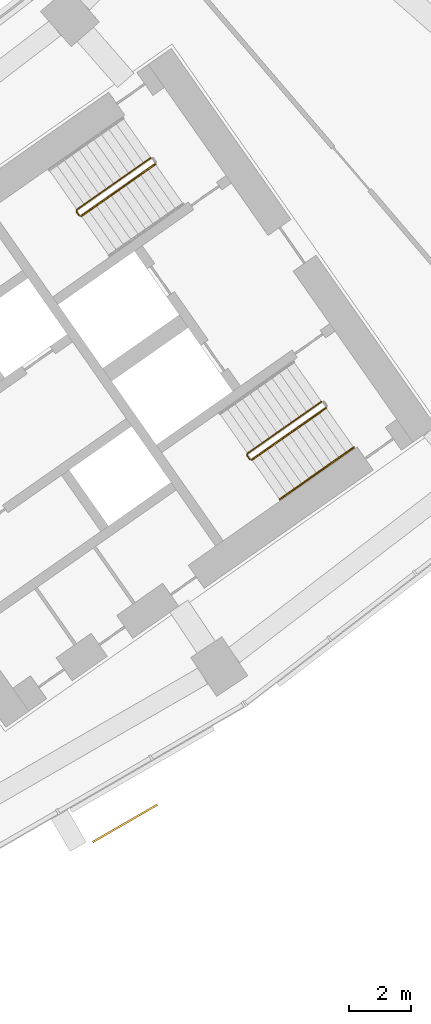
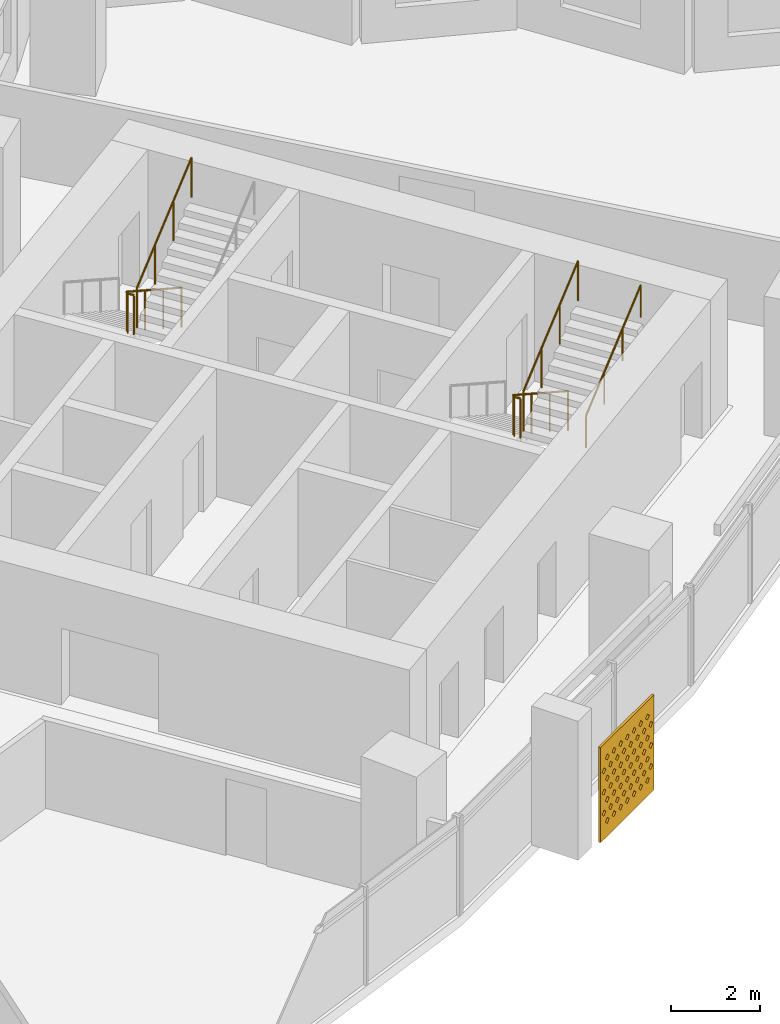
# One storey, part 28 of 29: 5 railings, 1 shading device.
"""IFC4 building model written with IfcOpenShell, lengths in metres."""

from ifc_helpers import new_model, si_unit, direction, frame, origin, origin_2d, place, context, subcontext, project, spatial, polyline, circle, outline, extrude, material, material_profile, profile_set, type_object, element, save


model = new_model("IFC4")

# Units and contexts
model_context = context("Model", 3, precision=1e-05, world=origin(), true_north=direction((0.0, 1.0)))
body_context = subcontext(model_context, "Body", "Model", "MODEL_VIEW")
ifc_project = project(units=[si_unit("LENGTHUNIT", "METRE"), si_unit("AREAUNIT", "SQUARE_METRE"), si_unit("VOLUMEUNIT", "CUBIC_METRE"), si_unit("PLANEANGLEUNIT", "RADIAN"), si_unit("MASSUNIT", "GRAM", prefix="KILO")], contexts=[model_context])

# Site, building, storey
site_placement = place(None, origin())
site = spatial("IfcSite", under=ifc_project, at=site_placement, CompositionType="ELEMENT")
building_placement = place(site_placement, origin())
building = spatial("IfcBuilding", under=site, at=building_placement, Name="Qamariyya Broadcast Tower", CompositionType="ELEMENT")
storey_placement = place(building_placement, frame((0.0, 0.0, 136.699951171875)))
storey = spatial("IfcBuildingStorey", under=building, at=storey_placement, Name="L31", CompositionType="ELEMENT", Elevation=136.699951171875)

# Shading device
ifc_material_1 = material(Name="Perforated glazed terracotta", Category="masonry")
ifc_material_profile = material_profile(ifc_material_1, outline(polyline([(-1.199951171875, -1.300048828125), (1.199951171875, -1.300048828125), (1.199951171875, 1.300048828125), (-1.199951171875, 1.300048828125), (-1.199951171875, -1.300048828125)]), holes=[polyline([(-0.81494140625, -0.86669921875), (-0.89990234375, -0.78173828125), (-0.985107421875, -0.86669921875), (-0.89990234375, -0.95166015625), (-0.81494140625, -0.86669921875)]), polyline([(-0.514892578125, -0.86669921875), (-0.60009765625, -0.78173828125), (-0.68505859375, -0.86669921875), (-0.60009765625, -0.95166015625), (-0.514892578125, -0.86669921875)]), polyline([(-0.215087890625, -0.86669921875), (-0.300048828125, -0.78173828125), (-0.385009765625, -0.86669921875), (-0.300048828125, -0.95166015625), (-0.215087890625, -0.86669921875)]), polyline([(0.0849609375, -0.86669921875), (0.0, -0.78173828125), (-0.0849609375, -0.86669921875), (0.0, -0.95166015625), (0.0849609375, -0.86669921875)]), polyline([(0.385009765625, -0.86669921875), (0.300048828125, -0.78173828125), (0.215087890625, -0.86669921875), (0.300048828125, -0.95166015625), (0.385009765625, -0.86669921875)]), polyline([(0.68505859375, -0.86669921875), (0.60009765625, -0.78173828125), (0.514892578125, -0.86669921875), (0.60009765625, -0.95166015625), (0.68505859375, -0.86669921875)]), polyline([(0.985107421875, -0.86669921875), (0.89990234375, -0.78173828125), (0.81494140625, -0.86669921875), (0.89990234375, -0.95166015625), (0.985107421875, -0.86669921875)]), polyline([(-0.965087890625, -0.577880859375), (-1.050048828125, -0.49267578125), (-1.135009765625, -0.577880859375), (-1.050048828125, -0.662841796875), (-0.965087890625, -0.577880859375)]), polyline([(-0.6650390625, -0.577880859375), (-0.75, -0.49267578125), (-0.8349609375, -0.577880859375), (-0.75, -0.662841796875), (-0.6650390625, -0.577880859375)]), polyline([(-0.364990234375, -0.577880859375), (-0.449951171875, -0.49267578125), (-0.534912109375, -0.577880859375), (-0.449951171875, -0.662841796875), (-0.364990234375, -0.577880859375)]), polyline([(-0.06494140625, -0.577880859375), (-0.14990234375, -0.49267578125), (-0.235107421875, -0.577880859375), (-0.14990234375, -0.662841796875), (-0.06494140625, -0.577880859375)]), polyline([(0.235107421875, -0.577880859375), (0.14990234375, -0.49267578125), (0.06494140625, -0.577880859375), (0.14990234375, -0.662841796875), (0.235107421875, -0.577880859375)]), polyline([(0.534912109375, -0.577880859375), (0.449951171875, -0.49267578125), (0.364990234375, -0.577880859375), (0.449951171875, -0.662841796875), (0.534912109375, -0.577880859375)]), polyline([(0.8349609375, -0.577880859375), (0.75, -0.49267578125), (0.6650390625, -0.577880859375), (0.75, -0.662841796875), (0.8349609375, -0.577880859375)]), polyline([(1.135009765625, -0.577880859375), (1.050048828125, -0.49267578125), (0.965087890625, -0.577880859375), (1.050048828125, -0.662841796875), (1.135009765625, -0.577880859375)]), polyline([(-0.81494140625, -0.288818359375), (-0.89990234375, -0.203857421875), (-0.985107421875, -0.288818359375), (-0.89990234375, -0.373779296875), (-0.81494140625, -0.288818359375)]), polyline([(-0.514892578125, -0.288818359375), (-0.60009765625, -0.203857421875), (-0.68505859375, -0.288818359375), (-0.60009765625, -0.373779296875), (-0.514892578125, -0.288818359375)]), polyline([(-0.215087890625, -0.288818359375), (-0.300048828125, -0.203857421875), (-0.385009765625, -0.288818359375), (-0.300048828125, -0.373779296875), (-0.215087890625, -0.288818359375)]), polyline([(0.0849609375, -0.288818359375), (0.0, -0.203857421875), (-0.0849609375, -0.288818359375), (0.0, -0.373779296875), (0.0849609375, -0.288818359375)]), polyline([(0.385009765625, -0.288818359375), (0.300048828125, -0.203857421875), (0.215087890625, -0.288818359375), (0.300048828125, -0.373779296875), (0.385009765625, -0.288818359375)]), polyline([(0.68505859375, -0.288818359375), (0.60009765625, -0.203857421875), (0.514892578125, -0.288818359375), (0.60009765625, -0.373779296875), (0.68505859375, -0.288818359375)]), polyline([(0.985107421875, -0.288818359375), (0.89990234375, -0.203857421875), (0.81494140625, -0.288818359375), (0.89990234375, -0.373779296875), (0.985107421875, -0.288818359375)]), polyline([(-0.965087890625, 0.0), (-1.050048828125, 0.0849609375), (-1.135009765625, 0.0), (-1.050048828125, -0.0849609375), (-0.965087890625, 0.0)]), polyline([(-0.6650390625, 0.0), (-0.75, 0.0849609375), (-0.8349609375, 0.0), (-0.75, -0.0849609375), (-0.6650390625, 0.0)]), polyline([(-0.364990234375, 0.0), (-0.449951171875, 0.0849609375), (-0.534912109375, 0.0), (-0.449951171875, -0.0849609375), (-0.364990234375, 0.0)]), polyline([(-0.06494140625, 0.0), (-0.14990234375, 0.0849609375), (-0.235107421875, 0.0), (-0.14990234375, -0.0849609375), (-0.06494140625, 0.0)]), polyline([(0.235107421875, 0.0), (0.14990234375, 0.0849609375), (0.06494140625, 0.0), (0.14990234375, -0.0849609375), (0.235107421875, 0.0)]), polyline([(0.534912109375, 0.0), (0.449951171875, 0.0849609375), (0.364990234375, 0.0), (0.449951171875, -0.0849609375), (0.534912109375, 0.0)]), polyline([(0.8349609375, 0.0), (0.75, 0.0849609375), (0.6650390625, 0.0), (0.75, -0.0849609375), (0.8349609375, 0.0)]), polyline([(1.135009765625, 0.0), (1.050048828125, 0.0849609375), (0.965087890625, 0.0), (1.050048828125, -0.0849609375), (1.135009765625, 0.0)]), polyline([(-0.81494140625, 0.288818359375), (-0.89990234375, 0.373779296875), (-0.985107421875, 0.288818359375), (-0.89990234375, 0.203857421875), (-0.81494140625, 0.288818359375)]), polyline([(-0.514892578125, 0.288818359375), (-0.60009765625, 0.373779296875), (-0.68505859375, 0.288818359375), (-0.60009765625, 0.203857421875), (-0.514892578125, 0.288818359375)]), polyline([(-0.215087890625, 0.288818359375), (-0.300048828125, 0.373779296875), (-0.385009765625, 0.288818359375), (-0.300048828125, 0.203857421875), (-0.215087890625, 0.288818359375)]), polyline([(0.0849609375, 0.288818359375), (0.0, 0.373779296875), (-0.0849609375, 0.288818359375), (0.0, 0.203857421875), (0.0849609375, 0.288818359375)]), polyline([(0.385009765625, 0.288818359375), (0.300048828125, 0.373779296875), (0.215087890625, 0.288818359375), (0.300048828125, 0.203857421875), (0.385009765625, 0.288818359375)]), polyline([(0.68505859375, 0.288818359375), (0.60009765625, 0.373779296875), (0.514892578125, 0.288818359375), (0.60009765625, 0.203857421875), (0.68505859375, 0.288818359375)]), polyline([(0.985107421875, 0.288818359375), (0.89990234375, 0.373779296875), (0.81494140625, 0.288818359375), (0.89990234375, 0.203857421875), (0.985107421875, 0.288818359375)]), polyline([(-0.965087890625, 0.577880859375), (-1.050048828125, 0.662841796875), (-1.135009765625, 0.577880859375), (-1.050048828125, 0.49267578125), (-0.965087890625, 0.577880859375)]), polyline([(-0.6650390625, 0.577880859375), (-0.75, 0.662841796875), (-0.8349609375, 0.577880859375), (-0.75, 0.49267578125), (-0.6650390625, 0.577880859375)]), polyline([(-0.364990234375, 0.577880859375), (-0.449951171875, 0.662841796875), (-0.534912109375, 0.577880859375), (-0.449951171875, 0.49267578125), (-0.364990234375, 0.577880859375)]), polyline([(-0.06494140625, 0.577880859375), (-0.14990234375, 0.662841796875), (-0.235107421875, 0.577880859375), (-0.14990234375, 0.49267578125), (-0.06494140625, 0.577880859375)]), polyline([(0.235107421875, 0.577880859375), (0.14990234375, 0.662841796875), (0.06494140625, 0.577880859375), (0.14990234375, 0.49267578125), (0.235107421875, 0.577880859375)]), polyline([(0.534912109375, 0.577880859375), (0.449951171875, 0.662841796875), (0.364990234375, 0.577880859375), (0.449951171875, 0.49267578125), (0.534912109375, 0.577880859375)]), polyline([(0.8349609375, 0.577880859375), (0.75, 0.662841796875), (0.6650390625, 0.577880859375), (0.75, 0.49267578125), (0.8349609375, 0.577880859375)]), polyline([(1.135009765625, 0.577880859375), (1.050048828125, 0.662841796875), (0.965087890625, 0.577880859375), (1.050048828125, 0.49267578125), (1.135009765625, 0.577880859375)]), polyline([(-0.81494140625, 0.86669921875), (-0.89990234375, 0.95166015625), (-0.985107421875, 0.86669921875), (-0.89990234375, 0.78173828125), (-0.81494140625, 0.86669921875)]), polyline([(-0.514892578125, 0.86669921875), (-0.60009765625, 0.95166015625), (-0.68505859375, 0.86669921875), (-0.60009765625, 0.78173828125), (-0.514892578125, 0.86669921875)]), polyline([(-0.215087890625, 0.86669921875), (-0.300048828125, 0.95166015625), (-0.385009765625, 0.86669921875), (-0.300048828125, 0.78173828125), (-0.215087890625, 0.86669921875)]), polyline([(0.0849609375, 0.86669921875), (0.0, 0.95166015625), (-0.0849609375, 0.86669921875), (0.0, 0.78173828125), (0.0849609375, 0.86669921875)]), polyline([(0.385009765625, 0.86669921875), (0.300048828125, 0.95166015625), (0.215087890625, 0.86669921875), (0.300048828125, 0.78173828125), (0.385009765625, 0.86669921875)]), polyline([(0.68505859375, 0.86669921875), (0.60009765625, 0.95166015625), (0.514892578125, 0.86669921875), (0.60009765625, 0.78173828125), (0.68505859375, 0.86669921875)]), polyline([(0.985107421875, 0.86669921875), (0.89990234375, 0.95166015625), (0.81494140625, 0.86669921875), (0.89990234375, 0.78173828125), (0.985107421875, 0.86669921875)])]))
ifc_profile_set = profile_set([ifc_material_profile], Name="Perforated glazed terracotta")
shading_device_type = type_object("IfcShadingDeviceType", Name="Perforated terracotta screen 2400 x 2600", PredefinedType="USERDEFINED", material=ifc_profile_set)
shading_device_placement = place(storey_placement, frame((40.15966796875, -69.65185546875, 1.35009765625), z_axis=(0.500074377092, -0.865982457891, 0.0), x_axis=(0.865982457891, 0.500074377092, 0.0)))
element("IfcShadingDevice", 1, at=shading_device_placement, inside=storey, type_object=shading_device_type, Name="e-scr-L31-13-1", ObjectType="SCREEN", PredefinedType="USERDEFINED", context=body_context, shape_type="SweptSolid", body=[
    extrude(outline(polyline([(-1.199951171875, -1.300048828125), (1.199951171875, -1.300048828125), (1.199951171875, 1.300048828125), (-1.199951171875, 1.300048828125), (-1.199951171875, -1.300048828125)]), holes=[polyline([(-0.81494140625, -0.86669921875), (-0.89990234375, -0.78173828125), (-0.985107421875, -0.86669921875), (-0.89990234375, -0.95166015625), (-0.81494140625, -0.86669921875)]), polyline([(-0.514892578125, -0.86669921875), (-0.60009765625, -0.78173828125), (-0.68505859375, -0.86669921875), (-0.60009765625, -0.95166015625), (-0.514892578125, -0.86669921875)]), polyline([(-0.215087890625, -0.86669921875), (-0.300048828125, -0.78173828125), (-0.385009765625, -0.86669921875), (-0.300048828125, -0.95166015625), (-0.215087890625, -0.86669921875)]), polyline([(0.0849609375, -0.86669921875), (0.0, -0.78173828125), (-0.0849609375, -0.86669921875), (0.0, -0.95166015625), (0.0849609375, -0.86669921875)]), polyline([(0.385009765625, -0.86669921875), (0.300048828125, -0.78173828125), (0.215087890625, -0.86669921875), (0.300048828125, -0.95166015625), (0.385009765625, -0.86669921875)]), polyline([(0.68505859375, -0.86669921875), (0.60009765625, -0.78173828125), (0.514892578125, -0.86669921875), (0.60009765625, -0.95166015625), (0.68505859375, -0.86669921875)]), polyline([(0.985107421875, -0.86669921875), (0.89990234375, -0.78173828125), (0.81494140625, -0.86669921875), (0.89990234375, -0.95166015625), (0.985107421875, -0.86669921875)]), polyline([(-0.965087890625, -0.577880859375), (-1.050048828125, -0.49267578125), (-1.135009765625, -0.577880859375), (-1.050048828125, -0.662841796875), (-0.965087890625, -0.577880859375)]), polyline([(-0.6650390625, -0.577880859375), (-0.75, -0.49267578125), (-0.8349609375, -0.577880859375), (-0.75, -0.662841796875), (-0.6650390625, -0.577880859375)]), polyline([(-0.364990234375, -0.577880859375), (-0.449951171875, -0.49267578125), (-0.534912109375, -0.577880859375), (-0.449951171875, -0.662841796875), (-0.364990234375, -0.577880859375)]), polyline([(-0.06494140625, -0.577880859375), (-0.14990234375, -0.49267578125), (-0.235107421875, -0.577880859375), (-0.14990234375, -0.662841796875), (-0.06494140625, -0.577880859375)]), polyline([(0.235107421875, -0.577880859375), (0.14990234375, -0.49267578125), (0.06494140625, -0.577880859375), (0.14990234375, -0.662841796875), (0.235107421875, -0.577880859375)]), polyline([(0.534912109375, -0.577880859375), (0.449951171875, -0.49267578125), (0.364990234375, -0.577880859375), (0.449951171875, -0.662841796875), (0.534912109375, -0.577880859375)]), polyline([(0.8349609375, -0.577880859375), (0.75, -0.49267578125), (0.6650390625, -0.577880859375), (0.75, -0.662841796875), (0.8349609375, -0.577880859375)]), polyline([(1.135009765625, -0.577880859375), (1.050048828125, -0.49267578125), (0.965087890625, -0.577880859375), (1.050048828125, -0.662841796875), (1.135009765625, -0.577880859375)]), polyline([(-0.81494140625, -0.288818359375), (-0.89990234375, -0.203857421875), (-0.985107421875, -0.288818359375), (-0.89990234375, -0.373779296875), (-0.81494140625, -0.288818359375)]), polyline([(-0.514892578125, -0.288818359375), (-0.60009765625, -0.203857421875), (-0.68505859375, -0.288818359375), (-0.60009765625, -0.373779296875), (-0.514892578125, -0.288818359375)]), polyline([(-0.215087890625, -0.288818359375), (-0.300048828125, -0.203857421875), (-0.385009765625, -0.288818359375), (-0.300048828125, -0.373779296875), (-0.215087890625, -0.288818359375)]), polyline([(0.0849609375, -0.288818359375), (0.0, -0.203857421875), (-0.0849609375, -0.288818359375), (0.0, -0.373779296875), (0.0849609375, -0.288818359375)]), polyline([(0.385009765625, -0.288818359375), (0.300048828125, -0.203857421875), (0.215087890625, -0.288818359375), (0.300048828125, -0.373779296875), (0.385009765625, -0.288818359375)]), polyline([(0.68505859375, -0.288818359375), (0.60009765625, -0.203857421875), (0.514892578125, -0.288818359375), (0.60009765625, -0.373779296875), (0.68505859375, -0.288818359375)]), polyline([(0.985107421875, -0.288818359375), (0.89990234375, -0.203857421875), (0.81494140625, -0.288818359375), (0.89990234375, -0.373779296875), (0.985107421875, -0.288818359375)]), polyline([(-0.965087890625, 0.0), (-1.050048828125, 0.0849609375), (-1.135009765625, 0.0), (-1.050048828125, -0.0849609375), (-0.965087890625, 0.0)]), polyline([(-0.6650390625, 0.0), (-0.75, 0.0849609375), (-0.8349609375, 0.0), (-0.75, -0.0849609375), (-0.6650390625, 0.0)]), polyline([(-0.364990234375, 0.0), (-0.449951171875, 0.0849609375), (-0.534912109375, 0.0), (-0.449951171875, -0.0849609375), (-0.364990234375, 0.0)]), polyline([(-0.06494140625, 0.0), (-0.14990234375, 0.0849609375), (-0.235107421875, 0.0), (-0.14990234375, -0.0849609375), (-0.06494140625, 0.0)]), polyline([(0.235107421875, 0.0), (0.14990234375, 0.0849609375), (0.06494140625, 0.0), (0.14990234375, -0.0849609375), (0.235107421875, 0.0)]), polyline([(0.534912109375, 0.0), (0.449951171875, 0.0849609375), (0.364990234375, 0.0), (0.449951171875, -0.0849609375), (0.534912109375, 0.0)]), polyline([(0.8349609375, 0.0), (0.75, 0.0849609375), (0.6650390625, 0.0), (0.75, -0.0849609375), (0.8349609375, 0.0)]), polyline([(1.135009765625, 0.0), (1.050048828125, 0.0849609375), (0.965087890625, 0.0), (1.050048828125, -0.0849609375), (1.135009765625, 0.0)]), polyline([(-0.81494140625, 0.288818359375), (-0.89990234375, 0.373779296875), (-0.985107421875, 0.288818359375), (-0.89990234375, 0.203857421875), (-0.81494140625, 0.288818359375)]), polyline([(-0.514892578125, 0.288818359375), (-0.60009765625, 0.373779296875), (-0.68505859375, 0.288818359375), (-0.60009765625, 0.203857421875), (-0.514892578125, 0.288818359375)]), polyline([(-0.215087890625, 0.288818359375), (-0.300048828125, 0.373779296875), (-0.385009765625, 0.288818359375), (-0.300048828125, 0.203857421875), (-0.215087890625, 0.288818359375)]), polyline([(0.0849609375, 0.288818359375), (0.0, 0.373779296875), (-0.0849609375, 0.288818359375), (0.0, 0.203857421875), (0.0849609375, 0.288818359375)]), polyline([(0.385009765625, 0.288818359375), (0.300048828125, 0.373779296875), (0.215087890625, 0.288818359375), (0.300048828125, 0.203857421875), (0.385009765625, 0.288818359375)]), polyline([(0.68505859375, 0.288818359375), (0.60009765625, 0.373779296875), (0.514892578125, 0.288818359375), (0.60009765625, 0.203857421875), (0.68505859375, 0.288818359375)]), polyline([(0.985107421875, 0.288818359375), (0.89990234375, 0.373779296875), (0.81494140625, 0.288818359375), (0.89990234375, 0.203857421875), (0.985107421875, 0.288818359375)]), polyline([(-0.965087890625, 0.577880859375), (-1.050048828125, 0.662841796875), (-1.135009765625, 0.577880859375), (-1.050048828125, 0.49267578125), (-0.965087890625, 0.577880859375)]), polyline([(-0.6650390625, 0.577880859375), (-0.75, 0.662841796875), (-0.8349609375, 0.577880859375), (-0.75, 0.49267578125), (-0.6650390625, 0.577880859375)]), polyline([(-0.364990234375, 0.577880859375), (-0.449951171875, 0.662841796875), (-0.534912109375, 0.577880859375), (-0.449951171875, 0.49267578125), (-0.364990234375, 0.577880859375)]), polyline([(-0.06494140625, 0.577880859375), (-0.14990234375, 0.662841796875), (-0.235107421875, 0.577880859375), (-0.14990234375, 0.49267578125), (-0.06494140625, 0.577880859375)]), polyline([(0.235107421875, 0.577880859375), (0.14990234375, 0.662841796875), (0.06494140625, 0.577880859375), (0.14990234375, 0.49267578125), (0.235107421875, 0.577880859375)]), polyline([(0.534912109375, 0.577880859375), (0.449951171875, 0.662841796875), (0.364990234375, 0.577880859375), (0.449951171875, 0.49267578125), (0.534912109375, 0.577880859375)]), polyline([(0.8349609375, 0.577880859375), (0.75, 0.662841796875), (0.6650390625, 0.577880859375), (0.75, 0.49267578125), (0.8349609375, 0.577880859375)]), polyline([(1.135009765625, 0.577880859375), (1.050048828125, 0.662841796875), (0.965087890625, 0.577880859375), (1.050048828125, 0.49267578125), (1.135009765625, 0.577880859375)]), polyline([(-0.81494140625, 0.86669921875), (-0.89990234375, 0.95166015625), (-0.985107421875, 0.86669921875), (-0.89990234375, 0.78173828125), (-0.81494140625, 0.86669921875)]), polyline([(-0.514892578125, 0.86669921875), (-0.60009765625, 0.95166015625), (-0.68505859375, 0.86669921875), (-0.60009765625, 0.78173828125), (-0.514892578125, 0.86669921875)]), polyline([(-0.215087890625, 0.86669921875), (-0.300048828125, 0.95166015625), (-0.385009765625, 0.86669921875), (-0.300048828125, 0.78173828125), (-0.215087890625, 0.86669921875)]), polyline([(0.0849609375, 0.86669921875), (0.0, 0.95166015625), (-0.0849609375, 0.86669921875), (0.0, 0.78173828125), (0.0849609375, 0.86669921875)]), polyline([(0.385009765625, 0.86669921875), (0.300048828125, 0.95166015625), (0.215087890625, 0.86669921875), (0.300048828125, 0.78173828125), (0.385009765625, 0.86669921875)]), polyline([(0.68505859375, 0.86669921875), (0.60009765625, 0.95166015625), (0.514892578125, 0.86669921875), (0.60009765625, 0.78173828125), (0.68505859375, 0.86669921875)]), polyline([(0.985107421875, 0.86669921875), (0.89990234375, 0.95166015625), (0.81494140625, 0.86669921875), (0.89990234375, 0.78173828125), (0.985107421875, 0.86669921875)])]), origin(), (0.0, 0.0, 1.0), 0.06005859375),
])

# Railings
ifc_material_2 = material(Name="Painted steel", Category="steel")
railing_type_1 = type_object("IfcRailingType", Name="Stair guard", PredefinedType="GUARDRAIL", material=ifc_material_2)
railing_1_placement = place(storey_placement, frame((41.003173828125, -48.320068359375, 0.1728515625)))
element("IfcRailing", 2, at=railing_1_placement, inside=storey, type_object=railing_type_1, Name="L31 ST-E2 stair guard 1", PredefinedType="GUARDRAIL", context=body_context, shape_type="SweptSolid", body=[
    extrude(circle(Radius=0.02392578125, at=origin_2d()), frame((0.0, 0.0, 1.076171875), z_axis=(-0.703770094002, -0.492783725636, 0.511734163933), x_axis=(0.573575343427, -0.819152809562, 0.0)), (0.0, 0.0, 1.0), 3.37548828125),
    extrude(circle(Radius=0.02392578125, at=origin_2d()), frame((-2.37548828125, -1.663330078125, 2.80322265625), z_axis=(-0.172799478008, -0.984957024646, 0.0), x_axis=(0.984957024646, -0.172799478008, 0.0)), (0.0, 0.0, 1.0), 0.070556640625),
    extrude(circle(Radius=0.02392578125, at=origin_2d()), frame((-2.3876953125, -1.73291015625, 2.80322265625), z_axis=(0.572588637393, -0.819842821722, 0.0), x_axis=(0.819842821722, 0.572588637393, 0.0)), (0.0, 0.0, 1.0), 0.150146484375),
    extrude(circle(Radius=0.02099609375, at=origin_2d()), origin(), (0.0, 0.0, 1.0), 1.052001953125),
    extrude(circle(Radius=0.02099609375, at=origin_2d()), frame((-0.791748046875, -0.554443359375, 0.57568359375)), (0.0, 0.0, 1.0), 1.052001953125),
    extrude(circle(Radius=0.02099609375, at=origin_2d()), frame((-1.583740234375, -1.10888671875, 1.151611328125)), (0.0, 0.0, 1.0), 1.052001953125),
    extrude(circle(Radius=0.02099609375, at=origin_2d()), frame((-2.37548828125, -1.663330078125, 1.727294921875)), (0.0, 0.0, 1.0), 1.052001953125),
    extrude(circle(Radius=0.02099609375, at=origin_2d()), frame((-2.3876953125, -1.73291015625, 1.727294921875)), (0.0, 0.0, 1.0), 1.052001953125),
    extrude(circle(Radius=0.02099609375, at=origin_2d()), frame((-2.3017578125, -1.85595703125, 1.727294921875)), (0.0, 0.0, 1.0), 1.052001953125),
])
railing_2_placement = place(storey_placement, frame((38.771240234375, -50.188232421875, 2.07275390625)))
element("IfcRailing", 3, at=railing_2_placement, inside=storey, type_object=railing_type_1, Name="L31 ST-E2 stair guard 2", PredefinedType="GUARDRAIL", context=body_context, shape_type="SweptSolid", body=[
    extrude(circle(Radius=0.02392578125, at=origin_2d()), frame((0.0, 0.0, 1.076171875), z_axis=(0.703770094002, 0.492783725636, 0.511734163933), x_axis=(-0.573575343427, 0.819152809562, 0.0)), (0.0, 0.0, 1.0), 3.37548828125),
    extrude(circle(Radius=0.02099609375, at=origin_2d()), origin(), (0.0, 0.0, 1.0), 1.052001953125),
    extrude(circle(Radius=0.02099609375, at=origin_2d()), frame((0.791748046875, 0.554443359375, 0.57568359375)), (0.0, 0.0, 1.0), 1.052001953125),
    extrude(circle(Radius=0.02099609375, at=origin_2d()), frame((1.583740234375, 1.10888671875, 1.151611328125)), (0.0, 0.0, 1.0), 1.052001953125),
    extrude(circle(Radius=0.02099609375, at=origin_2d()), frame((2.37548828125, 1.663330078125, 1.727294921875)), (0.0, 0.0, 1.0), 1.052001953125),
])
railing_3_placement = place(storey_placement, frame((46.48095703125, -56.14306640625, 0.1728515625)))
element("IfcRailing", 4, at=railing_3_placement, inside=storey, type_object=railing_type_1, Name="L31 ST-E1 stair guard 1", PredefinedType="GUARDRAIL", context=body_context, shape_type="SweptSolid", body=[
    extrude(circle(Radius=0.02392578125, at=origin_2d()), frame((0.0, 0.0, 1.076171875), z_axis=(-0.703770094002, -0.492783725636, 0.511734163933), x_axis=(0.573575343427, -0.819152809562, 0.0)), (0.0, 0.0, 1.0), 3.37548828125),
    extrude(circle(Radius=0.02392578125, at=origin_2d()), frame((-2.37548828125, -1.663330078125, 2.80322265625), z_axis=(-0.176149252506, -0.984363469884, 0.0), x_axis=(0.984363469884, -0.176149252506, 0.0)), (0.0, 0.0, 1.0), 0.07080078125),
    extrude(circle(Radius=0.02392578125, at=origin_2d()), frame((-2.387939453125, -1.73291015625, 2.80322265625), z_axis=(0.574444878118, -0.818543268254, 0.0), x_axis=(0.818543268254, 0.574444878118, 0.0)), (0.0, 0.0, 1.0), 0.150146484375),
    extrude(circle(Radius=0.02099609375, at=origin_2d()), origin(), (0.0, 0.0, 1.0), 1.052001953125),
    extrude(circle(Radius=0.02099609375, at=origin_2d()), frame((-0.791748046875, -0.554443359375, 0.57568359375)), (0.0, 0.0, 1.0), 1.052001953125),
    extrude(circle(Radius=0.02099609375, at=origin_2d()), frame((-1.583740234375, -1.10888671875, 1.151611328125)), (0.0, 0.0, 1.0), 1.052001953125),
    extrude(circle(Radius=0.02099609375, at=origin_2d()), frame((-2.37548828125, -1.663330078125, 1.727294921875)), (0.0, 0.0, 1.0), 1.052001953125),
    extrude(circle(Radius=0.02099609375, at=origin_2d()), frame((-2.387939453125, -1.73291015625, 1.727294921875)), (0.0, 0.0, 1.0), 1.052001953125),
    extrude(circle(Radius=0.02099609375, at=origin_2d()), frame((-2.3017578125, -1.855712890625, 1.727294921875)), (0.0, 0.0, 1.0), 1.052001953125),
])
railing_4_placement = place(storey_placement, frame((44.248779296875, -58.01123046875, 2.07275390625)))
element("IfcRailing", 5, at=railing_4_placement, inside=storey, type_object=railing_type_1, Name="L31 ST-E1 stair guard 2", PredefinedType="GUARDRAIL", context=body_context, shape_type="SweptSolid", body=[
    extrude(circle(Radius=0.02392578125, at=origin_2d()), frame((0.0, 0.0, 1.076171875), z_axis=(0.703745009021, 0.492838488332, 0.511715923826), x_axis=(-0.573631830683, 0.819113253969, 0.0)), (0.0, 0.0, 1.0), 3.37548828125),
    extrude(circle(Radius=0.02099609375, at=origin_2d()), origin(), (0.0, 0.0, 1.0), 1.052001953125),
    extrude(circle(Radius=0.02099609375, at=origin_2d()), frame((0.791748046875, 0.554443359375, 0.57568359375)), (0.0, 0.0, 1.0), 1.052001953125),
    extrude(circle(Radius=0.02099609375, at=origin_2d()), frame((1.583740234375, 1.109130859375, 1.151611328125)), (0.0, 0.0, 1.0), 1.052001953125),
    extrude(circle(Radius=0.02099609375, at=origin_2d()), frame((2.37548828125, 1.66357421875, 1.727294921875)), (0.0, 0.0, 1.0), 1.052001953125),
])
ifc_material_3 = material(Name="Stainless steel", Category="steel")
railing_type_2 = type_object("IfcRailingType", Name="Stair handrail", PredefinedType="HANDRAIL", material=ifc_material_3)
railing_5_placement = place(storey_placement, frame((45.137939453125, -59.28076171875, 2.07275390625)))
element("IfcRailing", 6, at=railing_5_placement, inside=storey, type_object=railing_type_2, Name="L31 ST-E1 stair handrail 2", PredefinedType="HANDRAIL", context=body_context, shape_type="SweptSolid", body=[
    extrude(circle(Radius=0.02392578125, at=origin_2d()), frame((0.0, 0.0, 0.8759765625), z_axis=(0.703770094002, 0.492783725636, 0.511734163933), x_axis=(-0.573575343427, 0.819152809562, 0.0)), (0.0, 0.0, 1.0), 3.37548828125),
    extrude(circle(Radius=0.02099609375, at=origin_2d()), origin(), (0.0, 0.0, 1.0), 0.851806640625),
    extrude(circle(Radius=0.02099609375, at=origin_2d()), frame((0.791748046875, 0.554443359375, 0.57568359375)), (0.0, 0.0, 1.0), 0.851806640625),
    extrude(circle(Radius=0.02099609375, at=origin_2d()), frame((1.583740234375, 1.10888671875, 1.151611328125)), (0.0, 0.0, 1.0), 0.851806640625),
    extrude(circle(Radius=0.02099609375, at=origin_2d()), frame((2.37548828125, 1.663330078125, 1.727294921875)), (0.0, 0.0, 1.0), 0.851806640625),
])

save(model, "model.ifc")
